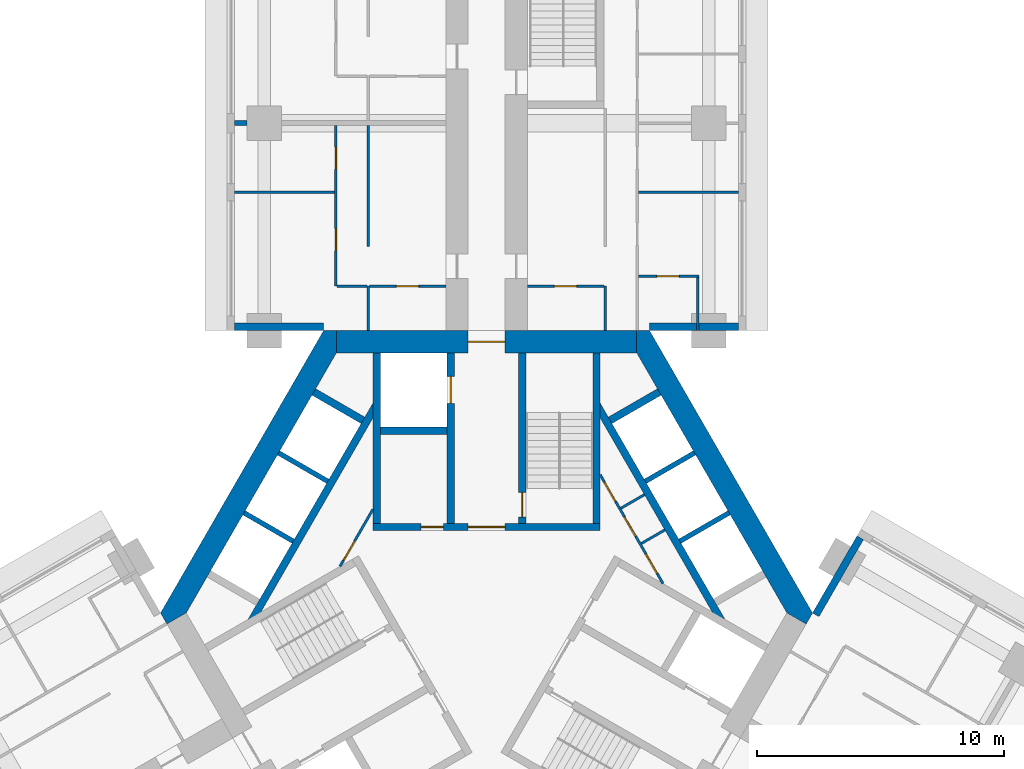
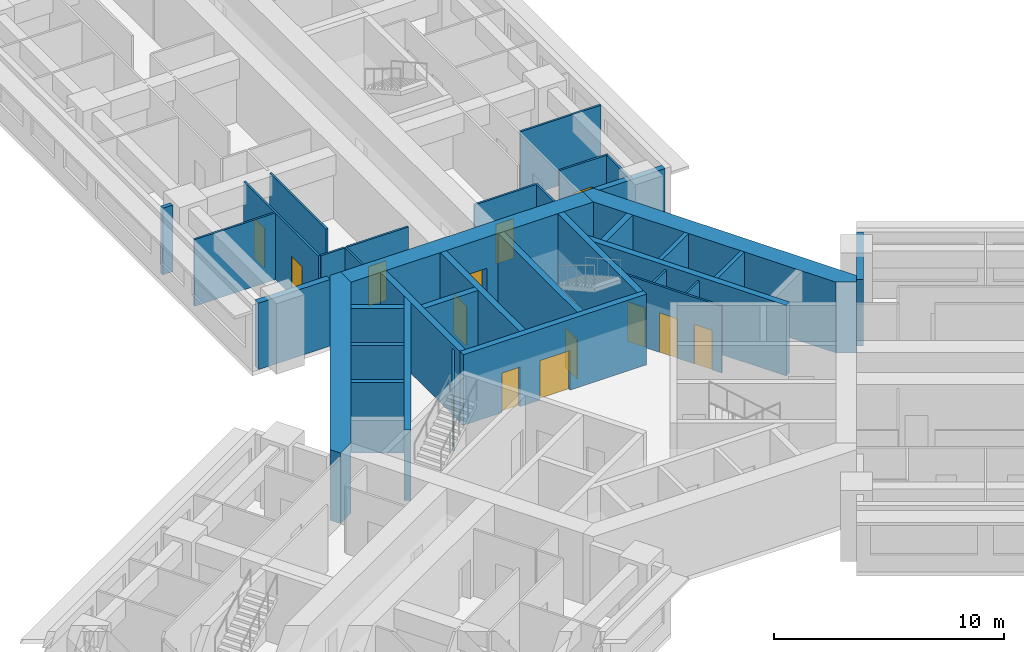
# One storey, part 8 of 15: 36 walls, 14 doors, 14 openings.
"""IFC4 building model written with IfcOpenShell, lengths in metres."""

from ifc_helpers import new_model, si_unit, direction, frame, frame_2d, origin, place, context, subcontext, project, spatial, polyline, rectangle, outline, extrude, material, layer, layer_set, type_object, element, fill, save


model = new_model("IFC4")

# Units and contexts
model_context = context("Model", 3, precision=1e-05, world=origin(), true_north=direction((0.0, 1.0)))
body_context = subcontext(model_context, "Body", "Model", "MODEL_VIEW")
ifc_project = project(units=[si_unit("LENGTHUNIT", "METRE"), si_unit("AREAUNIT", "SQUARE_METRE"), si_unit("VOLUMEUNIT", "CUBIC_METRE"), si_unit("PLANEANGLEUNIT", "RADIAN"), si_unit("MASSUNIT", "GRAM", prefix="KILO")], contexts=[model_context])

# Site, building, storey
site_placement = place(None, origin())
site = spatial("IfcSite", under=ifc_project, at=site_placement, CompositionType="ELEMENT")
building_placement = place(site_placement, origin())
building = spatial("IfcBuilding", under=site, at=building_placement, Name="Impinga Residences", CompositionType="ELEMENT")
storey_placement = place(building_placement, frame((0.0, 0.0, 86.0)))
storey = spatial("IfcBuildingStorey", under=building, at=storey_placement, Name="L21", CompositionType="ELEMENT", Elevation=86.0)

# Wall, openings, doors
ifc_material_1 = material(Name="Concrete blockwork", Category="masonry")
ifc_layer_1 = layer(ifc_material_1, 0.10009765625)
ifc_layer_set_1 = layer_set([ifc_layer_1], Name="CP1 core room partition, blockwork 100")
wall_type_1 = type_object("IfcWallType", Name="CP1 core room partition, blockwork 100", PredefinedType="PARTITIONING", material=ifc_layer_set_1)
wall_1_placement = place(storey_placement, frame((4.60009765625, 5.595703125, 0.0), z_axis=(0.0, 0.0, 1.0), x_axis=(0.499975622669, -0.866039477586, 0.0)))
wall_1 = element("IfcWall", 1, at=wall_1_placement, inside=storey, type_object=wall_type_1, Name="Core room partition, blockwork L21:CORE:mid:FP", PredefinedType="PARTITIONING", context=body_context, shape_type="SweptSolid", body=[
    extrude(rectangle(XDim=5.092041015625, YDim=0.10009765625, at=frame_2d((2.5458984375, 0.0))), origin(), (0.0, 0.0, 1.0), 3.530029296875),
])
opening_1_placement = place(wall_1_placement, frame((0.347900390625, 0.0, 0.0)))
opening_1 = element("IfcOpeningElement", 2, at=opening_1_placement, cuts=wall_1, Name="Opening D6", PredefinedType="OPENING", context=body_context, shape_type="SweptSolid", body=[
    extrude(rectangle(XDim=0.89990234375, YDim=2.10009765625, at=frame_2d((0.449951171875, 1.050048828125))), frame((0.0, 0.06005859375, 0.0), z_axis=(0.0, -1.0, 0.0), x_axis=(1.0, 0.0, 0.0)), (0.0, 0.0, 1.0), 0.1201171875),
])
opening_2_placement = place(wall_1_placement, frame((1.970947265625, 0.0, 0.0)))
opening_2 = element("IfcOpeningElement", 3, at=opening_2_placement, cuts=wall_1, Name="Opening D6", PredefinedType="OPENING", context=body_context, shape_type="SweptSolid", body=[
    extrude(rectangle(XDim=0.89990234375, YDim=2.10009765625, at=frame_2d((0.449951171875, 1.050048828125))), frame((0.0, 0.06005859375, 0.0), z_axis=(0.0, -1.0, 0.0), x_axis=(1.0, 0.0, 0.0)), (0.0, 0.0, 1.0), 0.1201171875),
])
opening_3_placement = place(wall_1_placement, frame((3.718994140625, 0.0, 0.0)))
opening_3 = element("IfcOpeningElement", 4, at=opening_3_placement, cuts=wall_1, Name="Opening D6", PredefinedType="OPENING", context=body_context, shape_type="SweptSolid", body=[
    extrude(rectangle(XDim=0.89990234375, YDim=2.10009765625, at=frame_2d((0.449951171875, 1.050048828125))), frame((0.0, 0.06005859375, 0.0), z_axis=(0.0, -1.0, 0.0), x_axis=(1.0, 0.0, 0.0)), (0.0, 0.0, 1.0), 0.1201171875),
])
ifc_material_2 = material(Name="Timber door set", Category="wood")
door_type_1 = type_object("IfcDoorType", Name="D6 riser and store door 900x2100", OperationType="SINGLE_SWING_LEFT", PredefinedType="DOOR", material=ifc_material_2)
door_1_placement = place(opening_1_placement, origin())
door_1 = element("IfcDoor", 5, at=door_1_placement, inside=storey, type_object=door_type_1, Name="Riser cupboard door", OperationType="SINGLE_SWING_LEFT", OverallHeight=2.10009765625, OverallWidth=0.89990234375, PredefinedType="DOOR", context=body_context, shape_type="SweptSolid", body=[
    extrude(rectangle(XDim=0.89990234375, YDim=2.10009765625, at=frame_2d((0.449951171875, 1.050048828125))), frame((0.0, 0.02490234375, 0.0), z_axis=(0.0, -1.0, 0.0), x_axis=(1.0, 0.0, 0.0)), (0.0, 0.0, 1.0), 0.050048828125),
])
fill(opening_1, door_1)
door_2_placement = place(opening_2_placement, origin())
door_2 = element("IfcDoor", 6, at=door_2_placement, inside=storey, type_object=door_type_1, Name="Linen store door", OperationType="SINGLE_SWING_LEFT", OverallHeight=2.10009765625, OverallWidth=0.89990234375, PredefinedType="DOOR", context=body_context, shape_type="SweptSolid", body=[
    extrude(rectangle(XDim=0.89990234375, YDim=2.10009765625, at=frame_2d((0.449951171875, 1.050048828125))), frame((0.0, 0.02490234375, 0.0), z_axis=(0.0, -1.0, 0.0), x_axis=(1.0, 0.0, 0.0)), (0.0, 0.0, 1.0), 0.050048828125),
])
fill(opening_2, door_2)
door_3_placement = place(opening_3_placement, origin())
door_3 = element("IfcDoor", 7, at=door_3_placement, inside=storey, type_object=door_type_1, Name="Bulky waste store door", OperationType="SINGLE_SWING_RIGHT", OverallHeight=2.10009765625, OverallWidth=0.89990234375, PredefinedType="DOOR", context=body_context, shape_type="SweptSolid", body=[
    extrude(rectangle(XDim=0.89990234375, YDim=2.10009765625, at=frame_2d((0.449951171875, 1.050048828125))), frame((0.0, 0.02490234375, 0.0), z_axis=(0.0, -1.0, 0.0), x_axis=(1.0, 0.0, 0.0)), (0.0, 0.0, 1.0), 0.050048828125),
])
fill(opening_3, door_3)

# Walls
for number, where, z_axis, x_axis, name in (
    (8, (5.441162109375, 4.238525390625, 0.0), (0.0, 0.0, 1.0), (0.866008176907, 0.50002983664, 0.0), "Core room partition, blockwork L21:CORE:mid:FS1"),
    (9, (6.266357421875, 2.8095703125, 0.0), (0.0, 0.0, 1.0), (0.866008176907, 0.50002983664, 0.0), "Core room partition, blockwork L21:CORE:mid:FS2"),
):
    element("IfcWall", number, at=place(storey_placement, frame(where, z_axis=z_axis, x_axis=x_axis)), inside=storey, type_object=wall_type_1, Name=name, PredefinedType="PARTITIONING", context=body_context, shape_type="SweptSolid", body=[
        extrude(rectangle(XDim=1.10009765625, YDim=0.10009765625, at=frame_2d((0.550048828125, 0.0))), origin(), (0.0, 0.0, 1.0), 3.530029296875),
    ])

# Wall, opening, door
wall_2_placement = place(storey_placement, frame((-5.93359375, 1.885986328125, 0.0), z_axis=(0.0, 0.0, 1.0), x_axis=(0.500018294232, 0.866014841347, 0.0)))
wall_2 = element("IfcWall", 10, at=wall_2_placement, inside=storey, type_object=wall_type_1, Name="Core room partition, blockwork L21:CORE:high:FP", PredefinedType="PARTITIONING", context=body_context, shape_type="SweptSolid", body=[
    extrude(rectangle(XDim=2.6669921875, YDim=0.10009765625, at=frame_2d((1.33349609375, 0.0))), origin(), (0.0, 0.0, 1.0), 3.530029296875),
])
opening_4_placement = place(wall_2_placement, frame((0.283447265625, 0.0, 0.0)))
opening_4 = element("IfcOpeningElement", 11, at=opening_4_placement, cuts=wall_2, Name="Opening D6", PredefinedType="OPENING", context=body_context, shape_type="SweptSolid", body=[
    extrude(rectangle(XDim=0.89990234375, YDim=2.10009765625, at=frame_2d((0.449951171875, 1.050048828125))), frame((0.0, 0.06005859375, 0.0), z_axis=(0.0, -1.0, 0.0), x_axis=(1.0, 0.0, 0.0)), (0.0, 0.0, 1.0), 0.1201171875),
])
door_4_placement = place(opening_4_placement, origin())
door_4 = element("IfcDoor", 12, at=door_4_placement, inside=storey, type_object=door_type_1, Name="Refuse and recycling room door", OperationType="SINGLE_SWING_LEFT", OverallHeight=2.10009765625, OverallWidth=0.89990234375, PredefinedType="DOOR", context=body_context, shape_type="SweptSolid", body=[
    extrude(rectangle(XDim=0.89990234375, YDim=2.10009765625, at=frame_2d((0.449951171875, 1.050048828125))), frame((0.0, 0.02490234375, 0.0), z_axis=(0.0, -1.0, 0.0), x_axis=(1.0, 0.0, 0.0)), (0.0, 0.0, 1.0), 0.050048828125),
])
fill(opening_4, door_4)

# Walls
ifc_material_3 = material(Name="Terracotta rainscreen on blockwork", Category="masonry")
ifc_layer_2 = layer(ifc_material_3, 0.300048828125)
ifc_layer_set_2 = layer_set([ifc_layer_2], Name="EW1 external wall, terracotta rainscreen on blockwork 300")
wall_type_2 = type_object("IfcWallType", Name="EW1 external wall, terracotta rainscreen on blockwork 300", PredefinedType="SOLIDWALL", material=ifc_layer_set_2)
for number, where, z_axis, x_axis, name in (
    (13, (-6.60009765625, 11.58154296875, 0.0), (0.0, 0.0, 1.0), (-1.0, 0.0, 0.0), "External wall EW1 L21"),
    (14, (10.199951171875, 11.58154296875, 0.0), (0.0, 0.0, 1.0), (-1.0, 0.0, 0.0), "External wall EW1 L21"),
):
    element("IfcWall", number, at=place(storey_placement, frame(where, z_axis=z_axis, x_axis=x_axis)), inside=storey, type_object=wall_type_2, Name=name, PredefinedType="SOLIDWALL", context=body_context, shape_type="SweptSolid", body=[
        extrude(rectangle(XDim=3.599853515625, YDim=0.300048828125, at=frame_2d((1.7998046875, 0.0))), origin(), (0.0, 0.0, 1.0), 3.530029296875),
    ])
wall_3_placement = place(storey_placement, frame((13.329833984375, -0.074951171875, 0.0), z_axis=(0.0, 0.0, 1.0), x_axis=(0.500012057535, 0.866018442252, 0.0)))
element("IfcWall", 15, at=wall_3_placement, inside=storey, type_object=wall_type_2, Name="External wall EW1 L21", PredefinedType="SOLIDWALL", context=body_context, shape_type="SweptSolid", body=[
    extrude(rectangle(XDim=3.60009765625, YDim=0.300048828125, at=frame_2d((1.800048828125, 0.0))), origin(), (0.0, 0.0, 1.0), 3.530029296875),
])
ifc_material_4 = material(Name="Gypsum board on steel studs", Category="steel")
ifc_layer_3 = layer(ifc_material_4, 0.10009765625)
ifc_layer_set_3 = layer_set([ifc_layer_3], Name="Gypsum board on steel studs")
wall_type_3 = type_object("IfcWallType", Name="IP1 partition 100", PredefinedType="PARTITIONING", material=ifc_layer_set_3)
wall_4_placement = place(storey_placement, frame((-4.800048828125, 11.431640625, 0.0), z_axis=(0.0, 0.0, 1.0), x_axis=(0.0, 1.0, 0.0)))
element("IfcWall", 16, at=wall_4_placement, inside=storey, type_object=wall_type_3, Name="Partition L21-NA1:DIV0", PredefinedType="PARTITIONING", context=body_context, shape_type="SweptSolid", body=[
    extrude(rectangle(XDim=1.7998046875, YDim=0.10009765625, at=frame_2d((0.89990234375, 0.0))), origin(), (0.0, 0.0, 1.0), 3.530029296875),
])
wall_5_placement = place(storey_placement, frame((-4.800048828125, 14.83154296875, 0.0), z_axis=(0.0, 0.0, 1.0), x_axis=(0.0, 1.0, 0.0)))
element("IfcWall", 17, at=wall_5_placement, inside=storey, type_object=wall_type_3, Name="Partition L21-NA1:DIV1", PredefinedType="PARTITIONING", context=body_context, shape_type="SweptSolid", body=[
    extrude(rectangle(XDim=4.89990234375, YDim=0.10009765625, at=frame_2d((2.449951171875, 0.0))), origin(), (0.0, 0.0, 1.0), 3.530029296875),
])

# Wall, openings, doors
wall_6_placement = place(storey_placement, frame((-6.10009765625, 13.2314453125, 0.0), z_axis=(0.0, 0.0, 1.0), x_axis=(0.0, 1.0, 0.0)))
wall_6 = element("IfcWall", 18, at=wall_6_placement, inside=storey, type_object=wall_type_3, Name="Partition L21-NA1:STRIP", PredefinedType="PARTITIONING", context=body_context, shape_type="SweptSolid", body=[
    extrude(rectangle(XDim=6.5, YDim=0.10009765625, at=frame_2d((3.25, 0.0))), origin(), (0.0, 0.0, 1.0), 3.530029296875),
])
opening_5_placement = place(wall_6_placement, frame((1.425048828125, 0.0, 0.0)))
opening_5 = element("IfcOpeningElement", 19, at=opening_5_placement, cuts=wall_6, Name="Opening D2", PredefinedType="OPENING", context=body_context, shape_type="SweptSolid", body=[
    extrude(rectangle(XDim=0.89990234375, YDim=2.10009765625, at=frame_2d((0.449951171875, 1.050048828125))), frame((0.0, 0.06005859375, 0.0), z_axis=(0.0, -1.0, 0.0), x_axis=(1.0, 0.0, 0.0)), (0.0, 0.0, 1.0), 0.1201171875),
])
opening_6_placement = place(wall_6_placement, frame((4.72509765625, 0.0, 0.0)))
opening_6 = element("IfcOpeningElement", 20, at=opening_6_placement, cuts=wall_6, Name="Opening D2", PredefinedType="OPENING", context=body_context, shape_type="SweptSolid", body=[
    extrude(rectangle(XDim=0.89990234375, YDim=2.10009765625, at=frame_2d((0.449951171875, 1.050048828125))), frame((0.0, 0.06005859375, 0.0), z_axis=(0.0, -1.0, 0.0), x_axis=(1.0, 0.0, 0.0)), (0.0, 0.0, 1.0), 0.1201171875),
])
door_type_2 = type_object("IfcDoorType", Name="D2 internal door 900x2100", OperationType="SINGLE_SWING_LEFT", PredefinedType="DOOR", material=ifc_material_2)
door_5_placement = place(opening_5_placement, origin())
door_5 = element("IfcDoor", 21, at=door_5_placement, inside=storey, type_object=door_type_2, Name="Apartment L21-NA1 room door", OperationType="SINGLE_SWING_LEFT", OverallHeight=2.10009765625, OverallWidth=0.89990234375, PredefinedType="DOOR", context=body_context, shape_type="SweptSolid", body=[
    extrude(rectangle(XDim=0.89990234375, YDim=2.10009765625, at=frame_2d((0.449951171875, 1.050048828125))), frame((0.0, 0.02490234375, 0.0), z_axis=(0.0, -1.0, 0.0), x_axis=(1.0, 0.0, 0.0)), (0.0, 0.0, 1.0), 0.050048828125),
])
fill(opening_5, door_5)
door_6_placement = place(opening_6_placement, origin())
door_6 = element("IfcDoor", 22, at=door_6_placement, inside=storey, type_object=door_type_2, Name="Apartment L21-NA1 room door", OperationType="SINGLE_SWING_RIGHT", OverallHeight=2.10009765625, OverallWidth=0.89990234375, PredefinedType="DOOR", context=body_context, shape_type="SweptSolid", body=[
    extrude(rectangle(XDim=0.89990234375, YDim=2.10009765625, at=frame_2d((0.449951171875, 1.050048828125))), frame((0.0, 0.02490234375, 0.0), z_axis=(0.0, -1.0, 0.0), x_axis=(1.0, 0.0, 0.0)), (0.0, 0.0, 1.0), 0.050048828125),
])
fill(opening_6, door_6)

# Wall
wall_7_placement = place(storey_placement, frame((-4.85009765625, 13.2314453125, 0.0), z_axis=(0.0, 0.0, 1.0), x_axis=(-1.0, 0.0, 0.0)))
element("IfcWall", 23, at=wall_7_placement, inside=storey, type_object=wall_type_3, Name="Partition L21-NA1:SE0", PredefinedType="PARTITIONING", context=body_context, shape_type="SweptSolid", body=[
    extrude(rectangle(XDim=1.199951171875, YDim=0.10009765625, at=frame_2d((0.60009765625, 0.0))), origin(), (0.0, 0.0, 1.0), 3.530029296875),
])

# Wall, opening, door
wall_8_placement = place(storey_placement, frame((-1.64990234375, 13.2314453125, 0.0), z_axis=(0.0, 0.0, 1.0), x_axis=(-1.0, 0.0, 0.0)))
wall_8 = element("IfcWall", 24, at=wall_8_placement, inside=storey, type_object=wall_type_3, Name="Partition L21-NA1:IB1", PredefinedType="PARTITIONING", context=body_context, shape_type="SweptSolid", body=[
    extrude(rectangle(XDim=3.10009765625, YDim=0.10009765625, at=frame_2d((1.550048828125, 0.0))), origin(), (0.0, 0.0, 1.0), 3.530029296875),
])
opening_7_placement = place(wall_8_placement, frame((1.10009765625, 0.0, 0.0)))
opening_7 = element("IfcOpeningElement", 25, at=opening_7_placement, cuts=wall_8, Name="Opening D2", PredefinedType="OPENING", context=body_context, shape_type="SweptSolid", body=[
    extrude(rectangle(XDim=0.89990234375, YDim=2.10009765625, at=frame_2d((0.449951171875, 1.050048828125))), frame((0.0, 0.06005859375, 0.0), z_axis=(0.0, -1.0, 0.0), x_axis=(1.0, 0.0, 0.0)), (0.0, 0.0, 1.0), 0.1201171875),
])
door_7_placement = place(opening_7_placement, origin())
door_7 = element("IfcDoor", 26, at=door_7_placement, inside=storey, type_object=door_type_2, Name="Apartment L21-NA1 bathroom door", OperationType="SINGLE_SWING_LEFT", OverallHeight=2.10009765625, OverallWidth=0.89990234375, PredefinedType="DOOR", context=body_context, shape_type="SweptSolid", body=[
    extrude(rectangle(XDim=0.89990234375, YDim=2.10009765625, at=frame_2d((0.449951171875, 1.050048828125))), frame((0.0, 0.02490234375, 0.0), z_axis=(0.0, -1.0, 0.0), x_axis=(1.0, 0.0, 0.0)), (0.0, 0.0, 1.0), 0.050048828125),
])
fill(opening_7, door_7)

# Walls
wall_9_placement = place(storey_placement, frame((-6.14990234375, 17.031494140625, 0.0), z_axis=(0.0, 0.0, 1.0), x_axis=(-1.0, 0.0, 0.0)))
element("IfcWall", 27, at=wall_9_placement, inside=storey, type_object=wall_type_3, Name="Partition L21-NA1:OB1", PredefinedType="PARTITIONING", context=body_context, shape_type="SweptSolid", body=[
    extrude(rectangle(XDim=4.050048828125, YDim=0.10009765625, at=frame_2d((2.02490234375, 0.0))), origin(), (0.0, 0.0, 1.0), 3.530029296875),
])
wall_10_placement = place(storey_placement, frame((4.800048828125, 11.431640625, 0.0), z_axis=(0.0, 0.0, 1.0), x_axis=(0.0, 1.0, 0.0)))
element("IfcWall", 28, at=wall_10_placement, inside=storey, type_object=wall_type_3, Name="Partition L21-NF1:DIV0", PredefinedType="PARTITIONING", context=body_context, shape_type="SweptSolid", body=[
    extrude(rectangle(XDim=1.7998046875, YDim=0.10009765625, at=frame_2d((0.89990234375, 0.0))), origin(), (0.0, 0.0, 1.0), 3.530029296875),
])

# Wall, opening, door
wall_11_placement = place(storey_placement, frame((1.64990234375, 13.2314453125, 0.0), z_axis=(0.0, 0.0, 1.0), x_axis=(1.0, 0.0, 0.0)))
wall_11 = element("IfcWall", 29, at=wall_11_placement, inside=storey, type_object=wall_type_3, Name="Partition L21-NF1:IB1", PredefinedType="PARTITIONING", context=body_context, shape_type="SweptSolid", body=[
    extrude(rectangle(XDim=3.10009765625, YDim=0.10009765625, at=frame_2d((1.550048828125, 0.0))), origin(), (0.0, 0.0, 1.0), 3.530029296875),
])
opening_8_placement = place(wall_11_placement, frame((1.10009765625, 0.0, 0.0)))
opening_8 = element("IfcOpeningElement", 30, at=opening_8_placement, cuts=wall_11, Name="Opening D2", PredefinedType="OPENING", context=body_context, shape_type="SweptSolid", body=[
    extrude(rectangle(XDim=0.89990234375, YDim=2.10009765625, at=frame_2d((0.449951171875, 1.050048828125))), frame((0.0, 0.06005859375, 0.0), z_axis=(0.0, -1.0, 0.0), x_axis=(1.0, 0.0, 0.0)), (0.0, 0.0, 1.0), 0.1201171875),
])
door_8_placement = place(opening_8_placement, origin())
door_8 = element("IfcDoor", 31, at=door_8_placement, inside=storey, type_object=door_type_2, Name="Apartment L21-NF1 bathroom door", OperationType="SINGLE_SWING_LEFT", OverallHeight=2.10009765625, OverallWidth=0.89990234375, PredefinedType="DOOR", context=body_context, shape_type="SweptSolid", body=[
    extrude(rectangle(XDim=0.89990234375, YDim=2.10009765625, at=frame_2d((0.449951171875, 1.050048828125))), frame((0.0, 0.02490234375, 0.0), z_axis=(0.0, -1.0, 0.0), x_axis=(1.0, 0.0, 0.0)), (0.0, 0.0, 1.0), 0.050048828125),
])
fill(opening_8, door_8)

# Wall
wall_12_placement = place(storey_placement, frame((6.14990234375, 17.031494140625, 0.0), z_axis=(0.0, 0.0, 1.0), x_axis=(1.0, 0.0, 0.0)))
element("IfcWall", 32, at=wall_12_placement, inside=storey, type_object=wall_type_3, Name="Partition L21-NF1:OB1", PredefinedType="PARTITIONING", context=body_context, shape_type="SweptSolid", body=[
    extrude(rectangle(XDim=4.050048828125, YDim=0.10009765625, at=frame_2d((2.02490234375, 0.0))), origin(), (0.0, 0.0, 1.0), 3.530029296875),
])

# Wall, opening, door
wall_13_placement = place(storey_placement, frame((6.14990234375, 13.631591796875, 0.0), z_axis=(0.0, 0.0, 1.0), x_axis=(1.0, 0.0, 0.0)))
wall_13 = element("IfcWall", 33, at=wall_13_placement, inside=storey, type_object=wall_type_3, Name="Partition L21-NF1:EN1", PredefinedType="PARTITIONING", context=body_context, shape_type="SweptSolid", body=[
    extrude(rectangle(XDim=2.4501953125, YDim=0.10009765625, at=frame_2d((1.22509765625, 0.0))), origin(), (0.0, 0.0, 1.0), 3.530029296875),
])
opening_9_placement = place(wall_13_placement, frame((0.75, 0.0, 0.0)))
opening_9 = element("IfcOpeningElement", 34, at=opening_9_placement, cuts=wall_13, Name="Opening D2", PredefinedType="OPENING", context=body_context, shape_type="SweptSolid", body=[
    extrude(rectangle(XDim=0.89990234375, YDim=2.10009765625, at=frame_2d((0.449951171875, 1.050048828125))), frame((0.0, 0.06005859375, 0.0), z_axis=(0.0, -1.0, 0.0), x_axis=(1.0, 0.0, 0.0)), (0.0, 0.0, 1.0), 0.1201171875),
])
door_9_placement = place(opening_9_placement, origin())
door_9 = element("IfcDoor", 35, at=door_9_placement, inside=storey, type_object=door_type_2, Name="Apartment L21-NF1 en-suite door", OperationType="SINGLE_SWING_LEFT", OverallHeight=2.10009765625, OverallWidth=0.89990234375, PredefinedType="DOOR", context=body_context, shape_type="SweptSolid", body=[
    extrude(rectangle(XDim=0.89990234375, YDim=2.10009765625, at=frame_2d((0.449951171875, 1.050048828125))), frame((0.0, 0.02490234375, 0.0), z_axis=(0.0, -1.0, 0.0), x_axis=(1.0, 0.0, 0.0)), (0.0, 0.0, 1.0), 0.050048828125),
])
fill(opening_9, door_9)

# Walls
wall_14_placement = place(storey_placement, frame((8.550048828125, 11.431640625, 0.0), z_axis=(0.0, 0.0, 1.0), x_axis=(0.0, 1.0, 0.0)))
element("IfcWall", 36, at=wall_14_placement, inside=storey, type_object=wall_type_3, Name="Partition L21-NF1:EN2", PredefinedType="PARTITIONING", context=body_context, shape_type="SweptSolid", body=[
    extrude(rectangle(XDim=2.14990234375, YDim=0.10009765625, at=frame_2d((1.074951171875, 0.0))), origin(), (0.0, 0.0, 1.0), 3.530029296875),
])
ifc_layer_4 = layer(ifc_material_1, 0.199951171875)
ifc_layer_set_4 = layer_set([ifc_layer_4], Name="PW1 party wall between apartments 200")
wall_type_4 = type_object("IfcWallType", Name="PW1 party wall between apartments 200", PredefinedType="SOLIDWALL", material=ifc_layer_set_4)
wall_15_placement = place(storey_placement, frame((-9.699951171875, 19.83154296875, 0.0), z_axis=(0.0, 0.0, 1.0), x_axis=(-1.0, 0.0, 0.0)))
element("IfcWall", 37, at=wall_15_placement, inside=storey, type_object=wall_type_4, Name="Party wall between apartments L21-NA1:PARTYb", PredefinedType="SOLIDWALL", context=body_context, shape_type="SweptSolid", body=[
    extrude(rectangle(XDim=0.5, YDim=0.199951171875, at=frame_2d((0.25, 0.0))), origin(), (0.0, 0.0, 1.0), 3.530029296875),
])

# Wall, opening, door
ifc_material_5 = material(Name="Concrete C70/85", Category="concrete")
ifc_layer_5 = layer(ifc_material_5, 0.89990234375)
ifc_layer_set_5 = layer_set([ifc_layer_5], Name="Concrete C70/85")
wall_type_5 = type_object("IfcWallType", Name="SW1 core wall 900", PredefinedType="SHEAR", material=ifc_layer_set_5)
wall_16_placement = place(storey_placement, frame((-6.080322265625, 10.9814453125, 0.0), z_axis=(0.0, 0.0, 1.0), x_axis=(1.0, 0.0, 0.0)))
wall_16 = element("IfcWall", 38, at=wall_16_placement, inside=storey, type_object=wall_type_5, Name="Core wall SW1 N:FACE L21", PredefinedType="SHEAR", context=body_context, shape_type="SweptSolid", body=[
    extrude(rectangle(XDim=12.16064453125, YDim=0.89990234375, at=frame_2d((6.080322265625, 0.0))), origin(), (0.0, 0.0, 1.0), 3.75),
])
opening_10_placement = place(wall_16_placement, frame((5.330322265625, 0.0, 0.0)))
opening_10 = element("IfcOpeningElement", 39, at=opening_10_placement, cuts=wall_16, Name="Opening D4", PredefinedType="OPENING", context=body_context, shape_type="SweptSolid", body=[
    extrude(rectangle(XDim=1.5, YDim=2.10009765625, at=frame_2d((0.75, 1.050048828125))), frame((0.0, 0.4599609375, 0.0), z_axis=(0.0, -1.0, 0.0), x_axis=(1.0, 0.0, 0.0)), (0.0, 0.0, 1.0), 0.919921875),
])
door_type_3 = type_object("IfcDoorType", Name="D4 lobby door pair 1500x2100", OperationType="DOUBLE_DOOR_DOUBLE_SWING", PredefinedType="DOOR", material=ifc_material_2)
door_10_placement = place(opening_10_placement, origin())
door_10 = element("IfcDoor", 40, at=door_10_placement, inside=storey, type_object=door_type_3, Name="Lobby door N", OperationType="DOUBLE_DOOR_DOUBLE_SWING", OverallHeight=2.10009765625, OverallWidth=1.5, PredefinedType="DOOR", context=body_context, shape_type="SweptSolid", body=[
    extrude(rectangle(XDim=1.5, YDim=2.10009765625, at=frame_2d((0.75, 1.050048828125))), frame((0.0, 0.02490234375, 0.0), z_axis=(0.0, -1.0, 0.0), x_axis=(1.0, 0.0, 0.0)), (0.0, 0.0, 1.0), 0.050048828125),
])
fill(opening_10, door_10)

# Walls
wall_17_placement = place(storey_placement, origin())
element("IfcWall", 41, at=wall_17_placement, inside=storey, type_object=wall_type_5, Name="Core wall SW1 W:EXPOSED L21", PredefinedType="SHEAR", context=body_context, shape_type="SweptSolid", body=[
    extrude(outline(polyline([(13.199951171875, 0.0), (6.60009765625, 11.431640625), (6.080322265625, 11.431640625), (6.080322265625, 10.531494140625), (12.160888671875, 0.0), (12.940185546875, -0.449951171875), (13.199951171875, 0.0)])), origin(), (0.0, 0.0, 1.0), 3.75),
])
wall_18_placement = place(storey_placement, origin())
element("IfcWall", 42, at=wall_18_placement, inside=storey, type_object=wall_type_5, Name="Core wall SW1 E:EXPOSED L21", PredefinedType="SHEAR", context=body_context, shape_type="SweptSolid", body=[
    extrude(outline(polyline([(-6.60009765625, 11.431640625), (-13.199951171875, 0.0), (-12.940185546875, -0.449951171875), (-12.160888671875, 0.0), (-6.080322265625, 10.531494140625), (-6.080322265625, 11.431640625), (-6.60009765625, 11.431640625)])), origin(), (0.0, 0.0, 1.0), 3.75),
])

# Wall, openings, doors
ifc_layer_6 = layer(ifc_material_5, 0.300048828125)
ifc_layer_set_6 = layer_set([ifc_layer_6], Name="Concrete C70/85")
wall_type_6 = type_object("IfcWallType", Name="SW5 core inner wall, stairs, shafts and lobbies 300", PredefinedType="SHEAR", material=ifc_layer_set_6)
wall_19_placement = place(storey_placement, frame((-4.60009765625, 3.47998046875, 0.0), z_axis=(0.0, 0.0, 1.0), x_axis=(1.0, 0.0, 0.0)))
wall_19 = element("IfcWall", 43, at=wall_19_placement, inside=storey, type_object=wall_type_6, Name="Core wall SW5 N:ZONE L21", PredefinedType="SHEAR", context=body_context, shape_type="SweptSolid", body=[
    extrude(rectangle(XDim=9.2001953125, YDim=0.300048828125, at=frame_2d((4.60009765625, 0.0))), origin(), (0.0, 0.0, 1.0), 3.75),
])
opening_11_placement = place(wall_19_placement, frame((3.85009765625, 0.0, 0.0)))
opening_11 = element("IfcOpeningElement", 44, at=opening_11_placement, cuts=wall_19, Name="Opening D4", PredefinedType="OPENING", context=body_context, shape_type="SweptSolid", body=[
    extrude(rectangle(XDim=1.5, YDim=2.10009765625, at=frame_2d((0.75, 1.050048828125))), frame((0.0, 0.159912109375, 0.0), z_axis=(0.0, -1.0, 0.0), x_axis=(1.0, 0.0, 0.0)), (0.0, 0.0, 1.0), 0.320068359375),
])
opening_12_placement = place(wall_19_placement, frame((1.949951171875, 0.0, 0.0)))
opening_12 = element("IfcOpeningElement", 45, at=opening_12_placement, cuts=wall_19, Name="Opening D6", PredefinedType="OPENING", context=body_context, shape_type="SweptSolid", body=[
    extrude(rectangle(XDim=0.89990234375, YDim=2.10009765625, at=frame_2d((0.449951171875, 1.050048828125))), frame((0.0, 0.159912109375, 0.0), z_axis=(0.0, -1.0, 0.0), x_axis=(1.0, 0.0, 0.0)), (0.0, 0.0, 1.0), 0.320068359375),
])
door_11_placement = place(opening_11_placement, origin())
door_11 = element("IfcDoor", 46, at=door_11_placement, inside=storey, type_object=door_type_3, Name="Firefighting lobby door N", OperationType="DOUBLE_DOOR_DOUBLE_SWING", OverallHeight=2.10009765625, OverallWidth=1.5, PredefinedType="DOOR", context=body_context, shape_type="SweptSolid", body=[
    extrude(rectangle(XDim=1.5, YDim=2.10009765625, at=frame_2d((0.75, 1.050048828125))), frame((0.0, 0.02490234375, 0.0), z_axis=(0.0, -1.0, 0.0), x_axis=(1.0, 0.0, 0.0)), (0.0, 0.0, 1.0), 0.050048828125),
])
fill(opening_11, door_11)
door_12_placement = place(opening_12_placement, origin())
door_12 = element("IfcDoor", 47, at=door_12_placement, inside=storey, type_object=door_type_1, Name="Riser door N", OperationType="SINGLE_SWING_LEFT", OverallHeight=2.10009765625, OverallWidth=0.89990234375, PredefinedType="DOOR", context=body_context, shape_type="SweptSolid", body=[
    extrude(rectangle(XDim=0.89990234375, YDim=2.10009765625, at=frame_2d((0.449951171875, 1.050048828125))), frame((0.0, 0.02490234375, 0.0), z_axis=(0.0, -1.0, 0.0), x_axis=(1.0, 0.0, 0.0)), (0.0, 0.0, 1.0), 0.050048828125),
])
fill(opening_12, door_12)

# Wall, opening, door
wall_20_placement = place(storey_placement, frame((1.449951171875, 3.6298828125, 0.0), z_axis=(0.0, 0.0, 1.0), x_axis=(0.0, 1.0, 0.0)))
wall_20 = element("IfcWall", 48, at=wall_20_placement, inside=storey, type_object=wall_type_6, Name="Core wall SW5 N:ST-IN L21", PredefinedType="SHEAR", context=body_context, shape_type="SweptSolid", body=[
    extrude(rectangle(XDim=6.901611328125, YDim=0.300048828125, at=frame_2d((3.45068359375, 0.0))), origin(), (0.0, 0.0, 1.0), 3.75),
])
opening_13_placement = place(wall_20_placement, frame((0.25, 0.0, 0.0)))
opening_13 = element("IfcOpeningElement", 49, at=opening_13_placement, cuts=wall_20, Name="Opening D5", PredefinedType="OPENING", context=body_context, shape_type="SweptSolid", body=[
    extrude(rectangle(XDim=1.0, YDim=2.10009765625, at=frame_2d((0.5, 1.050048828125))), frame((0.0, 0.159912109375, 0.0), z_axis=(0.0, -1.0, 0.0), x_axis=(1.0, 0.0, 0.0)), (0.0, 0.0, 1.0), 0.320068359375),
])
door_type_4 = type_object("IfcDoorType", Name="D5 stair door 1000x2100", OperationType="SINGLE_SWING_LEFT", PredefinedType="DOOR", material=ifc_material_2)
door_13_placement = place(opening_13_placement, origin())
door_13 = element("IfcDoor", 50, at=door_13_placement, inside=storey, type_object=door_type_4, Name="Stair door N", OperationType="SINGLE_SWING_LEFT", OverallHeight=2.10009765625, OverallWidth=1.0, PredefinedType="DOOR", context=body_context, shape_type="SweptSolid", body=[
    extrude(rectangle(XDim=1.0, YDim=2.10009765625, at=frame_2d((0.5, 1.050048828125))), frame((0.0, 0.02490234375, 0.0), z_axis=(0.0, -1.0, 0.0), x_axis=(1.0, 0.0, 0.0)), (0.0, 0.0, 1.0), 0.050048828125),
])
fill(opening_13, door_13)

# Wall
wall_21_placement = place(storey_placement, frame((4.449951171875, 3.6298828125, 0.0), z_axis=(0.0, 0.0, 1.0), x_axis=(0.0, 1.0, 0.0)))
element("IfcWall", 51, at=wall_21_placement, inside=storey, type_object=wall_type_6, Name="Core wall SW5 N:ST-OUT L21", PredefinedType="SHEAR", context=body_context, shape_type="SweptSolid", body=[
    extrude(rectangle(XDim=6.901611328125, YDim=0.300048828125, at=frame_2d((3.45068359375, 0.0))), origin(), (0.0, 0.0, 1.0), 3.75),
])

# Wall, opening, door
wall_22_placement = place(storey_placement, frame((-1.449951171875, 3.6298828125, 0.0), z_axis=(0.0, 0.0, 1.0), x_axis=(0.0, 1.0, 0.0)))
wall_22 = element("IfcWall", 52, at=wall_22_placement, inside=storey, type_object=wall_type_6, Name="Core wall SW5 N:FF-IN L21", PredefinedType="SHEAR", context=body_context, shape_type="SweptSolid", body=[
    extrude(rectangle(XDim=6.901611328125, YDim=0.300048828125, at=frame_2d((3.45068359375, 0.0))), origin(), (0.0, 0.0, 1.0), 3.75),
])
opening_14_placement = place(wall_22_placement, frame((4.85009765625, 0.0, 0.0)))
opening_14 = element("IfcOpeningElement", 53, at=opening_14_placement, cuts=wall_22, Name="Opening LD2", PredefinedType="OPENING", context=body_context, shape_type="SweptSolid", body=[
    extrude(rectangle(XDim=1.10009765625, YDim=2.10009765625, at=frame_2d((0.550048828125, 1.050048828125))), frame((0.0, 0.159912109375, 0.0), z_axis=(0.0, -1.0, 0.0), x_axis=(1.0, 0.0, 0.0)), (0.0, 0.0, 1.0), 0.320068359375),
])
ifc_material_6 = material(Name="Steel lift landing door", Category="steel")
door_type_5 = type_object("IfcDoorType", Name="LD2 firefighting lift landing door 1100x2100", OperationType="DOUBLE_DOOR_SLIDING", PredefinedType="DOOR", material=ifc_material_6)
door_14_placement = place(opening_14_placement, origin())
door_14 = element("IfcDoor", 54, at=door_14_placement, inside=storey, type_object=door_type_5, Name="Firefighting lift landing door F1", OperationType="DOUBLE_DOOR_SLIDING", OverallHeight=2.10009765625, OverallWidth=1.10009765625, PredefinedType="DOOR", context=body_context, shape_type="SweptSolid", body=[
    extrude(rectangle(XDim=1.10009765625, YDim=2.10009765625, at=frame_2d((0.550048828125, 1.050048828125))), frame((0.0, 0.02490234375, 0.0), z_axis=(0.0, -1.0, 0.0), x_axis=(1.0, 0.0, 0.0)), (0.0, 0.0, 1.0), 0.050048828125),
])
fill(opening_14, door_14)

# Walls
wall_23_placement = place(storey_placement, frame((-4.449951171875, 3.6298828125, 0.0), z_axis=(0.0, 0.0, 1.0), x_axis=(0.0, 1.0, 0.0)))
element("IfcWall", 55, at=wall_23_placement, inside=storey, type_object=wall_type_6, Name="Core wall SW5 N:FF-OUT L21", PredefinedType="SHEAR", context=body_context, shape_type="SweptSolid", body=[
    extrude(rectangle(XDim=6.901611328125, YDim=0.300048828125, at=frame_2d((3.45068359375, 0.0))), origin(), (0.0, 0.0, 1.0), 3.75),
])
wall_24_placement = place(storey_placement, frame((-4.300048828125, 7.3798828125, 0.0), z_axis=(0.0, 0.0, 1.0), x_axis=(1.0, 0.0, 0.0)))
element("IfcWall", 56, at=wall_24_placement, inside=storey, type_object=wall_type_6, Name="Core wall SW5 N:FF-RS L21", PredefinedType="SHEAR", context=body_context, shape_type="SweptSolid", body=[
    extrude(rectangle(XDim=2.699951171875, YDim=0.300048828125, at=frame_2d((1.35009765625, 0.0))), origin(), (0.0, 0.0, 1.0), 3.75),
])
wall_25_placement = place(storey_placement, frame((4.449951171875, 8.455322265625, 0.0), z_axis=(0.0, 0.0, 1.0), x_axis=(0.500002290144, -0.866024081565, 0.0)))
element("IfcWall", 57, at=wall_25_placement, inside=storey, type_object=wall_type_6, Name="Core wall SW5 W:BANK-FRONT L21", PredefinedType="SHEAR", context=body_context, shape_type="SweptSolid", body=[
    extrude(rectangle(XDim=10.1953125, YDim=0.300048828125, at=frame_2d((5.09765625, 0.0))), origin(), (0.0, 0.0, 1.0), 3.75),
])
wall_26_placement = place(storey_placement, frame((5.003662109375, 7.79638671875, 0.0), z_axis=(0.0, 0.0, 1.0), x_axis=(0.866053019151, 0.499952165731, 0.0)))
element("IfcWall", 58, at=wall_26_placement, inside=storey, type_object=wall_type_6, Name="Core wall SW5 W:BANK-L L21", PredefinedType="SHEAR", context=body_context, shape_type="SweptSolid", body=[
    extrude(rectangle(XDim=2.300048828125, YDim=0.300048828125, at=frame_2d((1.14990234375, 0.0))), origin(), (0.0, 0.0, 1.0), 3.75),
])
wall_27_placement = place(storey_placement, frame((-9.547607421875, -0.3740234375, 0.0), z_axis=(0.0, 0.0, 1.0), x_axis=(0.500002290144, 0.866024081565, 0.0)))
element("IfcWall", 59, at=wall_27_placement, inside=storey, type_object=wall_type_6, Name="Core wall SW5 E:BANK-FRONT L21", PredefinedType="SHEAR", context=body_context, shape_type="SweptSolid", body=[
    extrude(rectangle(XDim=10.1953125, YDim=0.300048828125, at=frame_2d((5.09765625, 0.0))), origin(), (0.0, 0.0, 1.0), 3.75),
])
wall_28_placement = place(storey_placement, frame((-5.003662109375, 7.79638671875, 0.0), z_axis=(0.0, 0.0, 1.0), x_axis=(-0.866053019151, 0.499952165731, 0.0)))
element("IfcWall", 60, at=wall_28_placement, inside=storey, type_object=wall_type_6, Name="Core wall SW5 E:BANK-R L21", PredefinedType="SHEAR", context=body_context, shape_type="SweptSolid", body=[
    extrude(rectangle(XDim=2.300048828125, YDim=0.300048828125, at=frame_2d((1.14990234375, 0.0))), origin(), (0.0, 0.0, 1.0), 3.75),
])
ifc_layer_7 = layer(ifc_material_5, 0.199951171875)
ifc_layer_set_7 = layer_set([ifc_layer_7], Name="Concrete C70/85")
wall_type_7 = type_object("IfcWallType", Name="SW6 lift shaft divider wall 200", PredefinedType="SHEAR", material=ifc_layer_set_7)
for number, where, z_axis, x_axis, name in (
    (61, (6.4287109375, 5.328125, 0.0), (0.0, 0.0, 1.0), (0.866007057882, 0.500031774688, 0.0), "Core wall SW6 W:BANK-D1 L21"),
    (62, (7.82861328125, 2.9033203125, 0.0), (0.0, 0.0, 1.0), (0.866053019151, 0.499952165731, 0.0), "Core wall SW6 W:BANK-D2 L21"),
    (63, (-7.82861328125, 2.9033203125, 0.0), (0.0, 0.0, 1.0), (-0.866053019151, 0.499952165731, 0.0), "Core wall SW6 E:BANK-D1 L21"),
    (64, (-6.4287109375, 5.328125, 0.0), (0.0, 0.0, 1.0), (-0.866007057882, 0.500031774688, 0.0), "Core wall SW6 E:BANK-D2 L21"),
):
    element("IfcWall", number, at=place(storey_placement, frame(where, z_axis=z_axis, x_axis=x_axis)), inside=storey, type_object=wall_type_7, Name=name, PredefinedType="SHEAR", context=body_context, shape_type="SweptSolid", body=[
        extrude(rectangle(XDim=2.300048828125, YDim=0.199951171875, at=frame_2d((1.14990234375, 0.0))), origin(), (0.0, 0.0, 1.0), 3.75),
    ])

save(model, "model.ifc")
